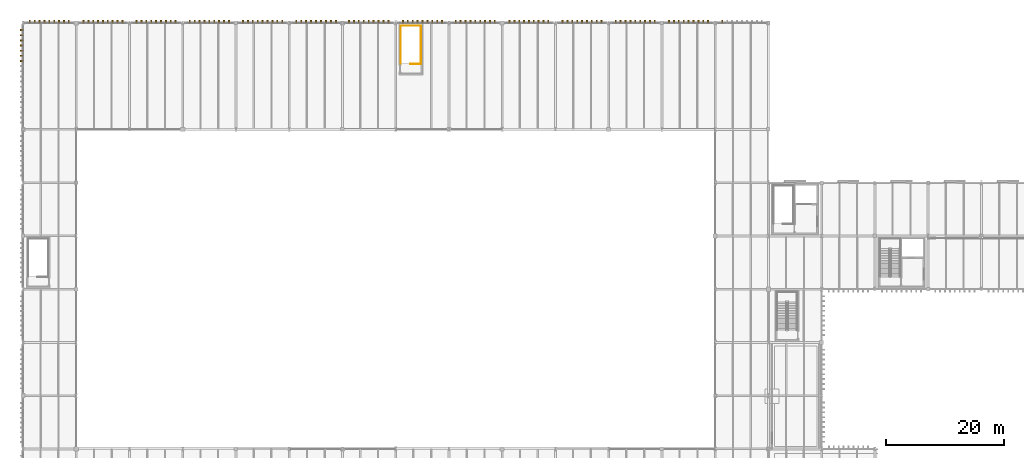
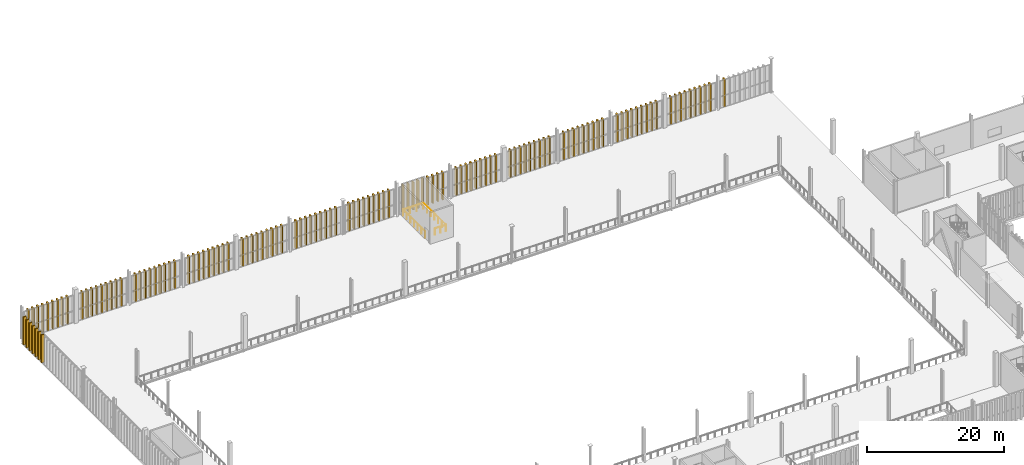
# One storey, part 210 of 211: 125 shading devices, 4 railings.
"""IFC4 building model written with IfcOpenShell, lengths in metres."""

from ifc_helpers import new_model, si_unit, direction, frame, origin, origin_2d, place, context, subcontext, project, spatial, rectangle, circle, extrude, material, type_object, element, save


model = new_model("IFC4")

# Units and contexts
model_context = context("Model", 3, precision=1e-05, world=origin(), true_north=direction((0.0, 1.0)))
body_context = subcontext(model_context, "Body", "Model", "MODEL_VIEW")
ifc_project = project(units=[si_unit("LENGTHUNIT", "METRE"), si_unit("AREAUNIT", "SQUARE_METRE"), si_unit("VOLUMEUNIT", "CUBIC_METRE"), si_unit("PLANEANGLEUNIT", "RADIAN"), si_unit("MASSUNIT", "GRAM", prefix="KILO")], contexts=[model_context])

# Site, building, storey
site_placement = place(None, origin())
site = spatial("IfcSite", under=ifc_project, at=site_placement, CompositionType="ELEMENT")
building_placement = place(site_placement, origin())
building = spatial("IfcBuilding", under=site, at=building_placement, Name="Barlavento Convention Centre", CompositionType="ELEMENT")
storey_placement = place(building_placement, frame((0.0, 0.0, 6.0)))
storey = spatial("IfcBuildingStorey", under=building, at=storey_placement, Name="L01", CompositionType="ELEMENT", Elevation=6.0)

# Railings
ifc_material_1 = material(Name="Stainless steel and laminated glass balustrade", Category="steel")
railing_type = type_object("IfcRailingType", Name="ARC-RAL-BAL-1100", PredefinedType="BALUSTRADE", material=ifc_material_1)
railing_1_placement = place(storey_placement, frame((67.2900390625, 128.0400390625, 0.0)))
element("IfcRailing", 1, at=railing_1_placement, inside=storey, type_object=railing_type, Name="L01 ST13 top well guard 1", PredefinedType="BALUSTRADE", context=body_context, shape_type="SweptSolid", body=[
    extrude(circle(Radius=0.02392578125, at=origin_2d()), frame((0.0, 0.0, 1.076171875), z_axis=(-1.0, 0.0, 0.0), x_axis=(0.0, -1.0, 0.0)), (0.0, 0.0, 1.0), 1.820068359375),
    extrude(circle(Radius=0.02099609375, at=origin_2d()), origin(), (0.0, 0.0, 1.0), 1.052001953125),
    extrude(circle(Radius=0.02099609375, at=origin_2d()), frame((-0.91015625, 0.0, 0.0)), (0.0, 0.0, 1.0), 1.052001953125),
    extrude(circle(Radius=0.02099609375, at=origin_2d()), frame((-1.820068359375, 0.0, 0.0)), (0.0, 0.0, 1.0), 1.052001953125),
])
railing_2_placement = place(storey_placement, frame((67.2900390625, 128.114990234375, 0.0)))
element("IfcRailing", 2, at=railing_2_placement, inside=storey, type_object=railing_type, Name="L01 stairwell perimeter guard GR01", PredefinedType="BALUSTRADE", context=body_context, shape_type="SweptSolid", body=[
    extrude(circle(Radius=0.02392578125, at=origin_2d()), frame((0.0, 0.0, 1.076171875), z_axis=(0.0, 1.0, 0.0), x_axis=(-1.0, 0.0, 0.0)), (0.0, 0.0, 1.0), 6.4150390625),
    extrude(circle(Radius=0.02099609375, at=origin_2d()), origin(), (0.0, 0.0, 1.0), 1.052001953125),
    extrude(circle(Radius=0.02099609375, at=origin_2d()), frame((0.0, 1.069091796875, 0.0)), (0.0, 0.0, 1.0), 1.052001953125),
    extrude(circle(Radius=0.02099609375, at=origin_2d()), frame((0.0, 2.138427734375, 0.0)), (0.0, 0.0, 1.0), 1.052001953125),
    extrude(circle(Radius=0.02099609375, at=origin_2d()), frame((0.0, 3.20751953125, 0.0)), (0.0, 0.0, 1.0), 1.052001953125),
    extrude(circle(Radius=0.02099609375, at=origin_2d()), frame((0.0, 4.276611328125, 0.0)), (0.0, 0.0, 1.0), 1.052001953125),
    extrude(circle(Radius=0.02099609375, at=origin_2d()), frame((0.0, 5.345947265625, 0.0)), (0.0, 0.0, 1.0), 1.052001953125),
    extrude(circle(Radius=0.02099609375, at=origin_2d()), frame((0.0, 6.4150390625, 0.0)), (0.0, 0.0, 1.0), 1.052001953125),
])
railing_3_placement = place(storey_placement, frame((67.2900390625, 134.530029296875, 0.0)))
element("IfcRailing", 3, at=railing_3_placement, inside=storey, type_object=railing_type, Name="L01 stairwell perimeter guard GR01", PredefinedType="BALUSTRADE", context=body_context, shape_type="SweptSolid", body=[
    extrude(circle(Radius=0.02392578125, at=origin_2d()), frame((0.0, 0.0, 1.076171875), z_axis=(-1.0, 0.0, 0.0), x_axis=(0.0, -1.0, 0.0)), (0.0, 0.0, 1.0), 3.43994140625),
    extrude(circle(Radius=0.02099609375, at=origin_2d()), origin(), (0.0, 0.0, 1.0), 1.052001953125),
    extrude(circle(Radius=0.02099609375, at=origin_2d()), frame((-1.146728515625, 0.0, 0.0)), (0.0, 0.0, 1.0), 1.052001953125),
    extrude(circle(Radius=0.02099609375, at=origin_2d()), frame((-2.293212890625, 0.0, 0.0)), (0.0, 0.0, 1.0), 1.052001953125),
    extrude(circle(Radius=0.02099609375, at=origin_2d()), frame((-3.43994140625, 0.0, 0.0)), (0.0, 0.0, 1.0), 1.052001953125),
])
railing_4_placement = place(storey_placement, frame((63.85009765625, 134.530029296875, 0.0)))
element("IfcRailing", 4, at=railing_4_placement, inside=storey, type_object=railing_type, Name="L01 stairwell perimeter guard GR01", PredefinedType="BALUSTRADE", context=body_context, shape_type="SweptSolid", body=[
    extrude(circle(Radius=0.02392578125, at=origin_2d()), frame((0.0, 0.0, 1.076171875), z_axis=(0.0, -1.0, 0.0), x_axis=(1.0, 0.0, 0.0)), (0.0, 0.0, 1.0), 6.4150390625),
    extrude(circle(Radius=0.02099609375, at=origin_2d()), origin(), (0.0, 0.0, 1.0), 1.052001953125),
    extrude(circle(Radius=0.02099609375, at=origin_2d()), frame((0.0, -1.069091796875, 0.0)), (0.0, 0.0, 1.0), 1.052001953125),
    extrude(circle(Radius=0.02099609375, at=origin_2d()), frame((0.0, -2.138427734375, 0.0)), (0.0, 0.0, 1.0), 1.052001953125),
    extrude(circle(Radius=0.02099609375, at=origin_2d()), frame((0.0, -3.20751953125, 0.0)), (0.0, 0.0, 1.0), 1.052001953125),
    extrude(circle(Radius=0.02099609375, at=origin_2d()), frame((0.0, -4.276611328125, 0.0)), (0.0, 0.0, 1.0), 1.052001953125),
    extrude(circle(Radius=0.02099609375, at=origin_2d()), frame((0.0, -5.345947265625, 0.0)), (0.0, 0.0, 1.0), 1.052001953125),
    extrude(circle(Radius=0.02099609375, at=origin_2d()), frame((0.0, -6.4150390625, 0.0)), (0.0, 0.0, 1.0), 1.052001953125),
])

# Shading devices
ifc_material_2 = material(Name="PVDF white extruded aluminium", Category="aluminium")
shading_device_type = type_object("IfcShadingDeviceType", Name="ARC-SHD-FIN-480", PredefinedType="USERDEFINED", material=ifc_material_2)
for number, where, z_axis, x_axis, name in (
    (5, (-0.239990234375, 128.576904296875, 0.0), (0.0, 0.0, 1.0), (0.0, 1.0, 0.0), "White vertical solar shading fin VF01"),
    (6, (-0.239990234375, 129.445556640625, 0.0), (0.0, 0.0, 1.0), (0.0, 1.0, 0.0), "White vertical solar shading fin VF01"),
    (7, (-0.239990234375, 130.314208984375, 0.0), (0.0, 0.0, 1.0), (0.0, 1.0, 0.0), "White vertical solar shading fin VF01"),
    (8, (-0.239990234375, 131.18310546875, 0.0), (0.0, 0.0, 1.0), (0.0, 1.0, 0.0), "White vertical solar shading fin VF01"),
    (9, (-0.239990234375, 132.0517578125, 0.0), (0.0, 0.0, 1.0), (0.0, 1.0, 0.0), "White vertical solar shading fin VF01"),
    (10, (-0.239990234375, 132.92041015625, 0.0), (0.0, 0.0, 1.0), (0.0, 1.0, 0.0), "White vertical solar shading fin VF01"),
    (11, (-0.239990234375, 133.789306640625, 0.0), (0.0, 0.0, 1.0), (0.0, 1.0, 0.0), "White vertical solar shading fin VF01"),
    (12, (1.15673828125, 135.239990234375, 0.0), (0.0, 0.0, 1.0), (1.0, 0.0, 0.0), "White vertical solar shading fin VF01"),
    (13, (1.981689453125, 135.239990234375, 0.0), (0.0, 0.0, 1.0), (1.0, 0.0, 0.0), "White vertical solar shading fin VF01"),
    (14, (2.806396484375, 135.239990234375, 0.0), (0.0, 0.0, 1.0), (1.0, 0.0, 0.0), "White vertical solar shading fin VF01"),
    (15, (3.631103515625, 135.239990234375, 0.0), (0.0, 0.0, 1.0), (1.0, 0.0, 0.0), "White vertical solar shading fin VF01"),
    (16, (4.4560546875, 135.239990234375, 0.0), (0.0, 0.0, 1.0), (1.0, 0.0, 0.0), "White vertical solar shading fin VF01"),
    (17, (5.28076171875, 135.239990234375, 0.0), (0.0, 0.0, 1.0), (1.0, 0.0, 0.0), "White vertical solar shading fin VF01"),
    (18, (6.105712890625, 135.239990234375, 0.0), (0.0, 0.0, 1.0), (1.0, 0.0, 0.0), "White vertical solar shading fin VF01"),
    (19, (6.930419921875, 135.239990234375, 0.0), (0.0, 0.0, 1.0), (1.0, 0.0, 0.0), "White vertical solar shading fin VF01"),
    (20, (7.755126953125, 135.239990234375, 0.0), (0.0, 0.0, 1.0), (1.0, 0.0, 0.0), "White vertical solar shading fin VF01"),
    (21, (10.239990234375, 135.239990234375, 0.0), (0.0, 0.0, 1.0), (1.0, 0.0, 0.0), "White vertical solar shading fin VF01"),
    (22, (11.06005859375, 135.239990234375, 0.0), (0.0, 0.0, 1.0), (1.0, 0.0, 0.0), "White vertical solar shading fin VF01"),
    (23, (11.8798828125, 135.239990234375, 0.0), (0.0, 0.0, 1.0), (1.0, 0.0, 0.0), "White vertical solar shading fin VF01"),
    (24, (12.699951171875, 135.239990234375, 0.0), (0.0, 0.0, 1.0), (1.0, 0.0, 0.0), "White vertical solar shading fin VF01"),
    (25, (13.52001953125, 135.239990234375, 0.0), (0.0, 0.0, 1.0), (1.0, 0.0, 0.0), "White vertical solar shading fin VF01"),
    (26, (14.340087890625, 135.239990234375, 0.0), (0.0, 0.0, 1.0), (1.0, 0.0, 0.0), "White vertical solar shading fin VF01"),
    (27, (15.159912109375, 135.239990234375, 0.0), (0.0, 0.0, 1.0), (1.0, 0.0, 0.0), "White vertical solar shading fin VF01"),
    (28, (15.97998046875, 135.239990234375, 0.0), (0.0, 0.0, 1.0), (1.0, 0.0, 0.0), "White vertical solar shading fin VF01"),
    (29, (16.800048828125, 135.239990234375, 0.0), (0.0, 0.0, 1.0), (1.0, 0.0, 0.0), "White vertical solar shading fin VF01"),
    (30, (19.205078125, 135.239990234375, 0.0), (0.0, 0.0, 1.0), (1.0, 0.0, 0.0), "White vertical solar shading fin VF01"),
    (31, (20.030029296875, 135.239990234375, 0.0), (0.0, 0.0, 1.0), (1.0, 0.0, 0.0), "White vertical solar shading fin VF01"),
    (32, (20.85498046875, 135.239990234375, 0.0), (0.0, 0.0, 1.0), (1.0, 0.0, 0.0), "White vertical solar shading fin VF01"),
    (33, (21.679931640625, 135.239990234375, 0.0), (0.0, 0.0, 1.0), (1.0, 0.0, 0.0), "White vertical solar shading fin VF01"),
    (34, (22.5048828125, 135.239990234375, 0.0), (0.0, 0.0, 1.0), (1.0, 0.0, 0.0), "White vertical solar shading fin VF01"),
    (35, (23.330078125, 135.239990234375, 0.0), (0.0, 0.0, 1.0), (1.0, 0.0, 0.0), "White vertical solar shading fin VF01"),
    (36, (24.155029296875, 135.239990234375, 0.0), (0.0, 0.0, 1.0), (1.0, 0.0, 0.0), "White vertical solar shading fin VF01"),
    (37, (24.97998046875, 135.239990234375, 0.0), (0.0, 0.0, 1.0), (1.0, 0.0, 0.0), "White vertical solar shading fin VF01"),
    (38, (25.804931640625, 135.239990234375, 0.0), (0.0, 0.0, 1.0), (1.0, 0.0, 0.0), "White vertical solar shading fin VF01"),
    (39, (28.196044921875, 135.239990234375, 0.0), (0.0, 0.0, 1.0), (1.0, 0.0, 0.0), "White vertical solar shading fin VF01"),
    (40, (29.02197265625, 135.239990234375, 0.0), (0.0, 0.0, 1.0), (1.0, 0.0, 0.0), "White vertical solar shading fin VF01"),
    (41, (29.847900390625, 135.239990234375, 0.0), (0.0, 0.0, 1.0), (1.0, 0.0, 0.0), "White vertical solar shading fin VF01"),
    (42, (30.674072265625, 135.239990234375, 0.0), (0.0, 0.0, 1.0), (1.0, 0.0, 0.0), "White vertical solar shading fin VF01"),
    (43, (31.5, 135.239990234375, 0.0), (0.0, 0.0, 1.0), (1.0, 0.0, 0.0), "White vertical solar shading fin VF01"),
    (44, (32.325927734375, 135.239990234375, 0.0), (0.0, 0.0, 1.0), (1.0, 0.0, 0.0), "White vertical solar shading fin VF01"),
    (45, (33.152099609375, 135.239990234375, 0.0), (0.0, 0.0, 1.0), (1.0, 0.0, 0.0), "White vertical solar shading fin VF01"),
    (46, (33.97802734375, 135.239990234375, 0.0), (0.0, 0.0, 1.0), (1.0, 0.0, 0.0), "White vertical solar shading fin VF01"),
    (47, (34.803955078125, 135.239990234375, 0.0), (0.0, 0.0, 1.0), (1.0, 0.0, 0.0), "White vertical solar shading fin VF01"),
    (48, (37.197509765625, 135.239990234375, 0.0), (0.0, 0.0, 1.0), (1.0, 0.0, 0.0), "White vertical solar shading fin VF01"),
    (49, (38.02490234375, 135.239990234375, 0.0), (0.0, 0.0, 1.0), (1.0, 0.0, 0.0), "White vertical solar shading fin VF01"),
    (50, (38.852294921875, 135.239990234375, 0.0), (0.0, 0.0, 1.0), (1.0, 0.0, 0.0), "White vertical solar shading fin VF01"),
    (51, (39.6796875, 135.239990234375, 0.0), (0.0, 0.0, 1.0), (1.0, 0.0, 0.0), "White vertical solar shading fin VF01"),
    (52, (40.507080078125, 135.239990234375, 0.0), (0.0, 0.0, 1.0), (1.0, 0.0, 0.0), "White vertical solar shading fin VF01"),
    (53, (41.33447265625, 135.239990234375, 0.0), (0.0, 0.0, 1.0), (1.0, 0.0, 0.0), "White vertical solar shading fin VF01"),
    (54, (42.161865234375, 135.239990234375, 0.0), (0.0, 0.0, 1.0), (1.0, 0.0, 0.0), "White vertical solar shading fin VF01"),
    (55, (42.9892578125, 135.239990234375, 0.0), (0.0, 0.0, 1.0), (1.0, 0.0, 0.0), "White vertical solar shading fin VF01"),
    (56, (43.816650390625, 135.239990234375, 0.0), (0.0, 0.0, 1.0), (1.0, 0.0, 0.0), "White vertical solar shading fin VF01"),
    (57, (46.193115234375, 135.239990234375, 0.0), (0.0, 0.0, 1.0), (1.0, 0.0, 0.0), "White vertical solar shading fin VF01"),
    (58, (47.0302734375, 135.239990234375, 0.0), (0.0, 0.0, 1.0), (1.0, 0.0, 0.0), "White vertical solar shading fin VF01"),
    (59, (47.8671875, 135.239990234375, 0.0), (0.0, 0.0, 1.0), (1.0, 0.0, 0.0), "White vertical solar shading fin VF01"),
    (60, (48.704345703125, 135.239990234375, 0.0), (0.0, 0.0, 1.0), (1.0, 0.0, 0.0), "White vertical solar shading fin VF01"),
    (61, (49.54150390625, 135.239990234375, 0.0), (0.0, 0.0, 1.0), (1.0, 0.0, 0.0), "White vertical solar shading fin VF01"),
    (62, (50.37841796875, 135.239990234375, 0.0), (0.0, 0.0, 1.0), (1.0, 0.0, 0.0), "White vertical solar shading fin VF01"),
    (63, (51.215576171875, 135.239990234375, 0.0), (0.0, 0.0, 1.0), (1.0, 0.0, 0.0), "White vertical solar shading fin VF01"),
    (64, (52.052490234375, 135.239990234375, 0.0), (0.0, 0.0, 1.0), (1.0, 0.0, 0.0), "White vertical solar shading fin VF01"),
    (65, (52.8896484375, 135.239990234375, 0.0), (0.0, 0.0, 1.0), (1.0, 0.0, 0.0), "White vertical solar shading fin VF01"),
    (66, (55.10546875, 135.239990234375, 0.0), (0.0, 0.0, 1.0), (1.0, 0.0, 0.0), "White vertical solar shading fin VF01"),
    (67, (55.937744140625, 135.239990234375, 0.0), (0.0, 0.0, 1.0), (1.0, 0.0, 0.0), "White vertical solar shading fin VF01"),
    (68, (56.77001953125, 135.239990234375, 0.0), (0.0, 0.0, 1.0), (1.0, 0.0, 0.0), "White vertical solar shading fin VF01"),
    (69, (57.602294921875, 135.239990234375, 0.0), (0.0, 0.0, 1.0), (1.0, 0.0, 0.0), "White vertical solar shading fin VF01"),
    (70, (58.4345703125, 135.239990234375, 0.0), (0.0, 0.0, 1.0), (1.0, 0.0, 0.0), "White vertical solar shading fin VF01"),
    (71, (59.266845703125, 135.239990234375, 0.0), (0.0, 0.0, 1.0), (1.0, 0.0, 0.0), "White vertical solar shading fin VF01"),
    (72, (60.09912109375, 135.239990234375, 0.0), (0.0, 0.0, 1.0), (1.0, 0.0, 0.0), "White vertical solar shading fin VF01"),
    (73, (60.931396484375, 135.239990234375, 0.0), (0.0, 0.0, 1.0), (1.0, 0.0, 0.0), "White vertical solar shading fin VF01"),
    (74, (61.763671875, 135.239990234375, 0.0), (0.0, 0.0, 1.0), (1.0, 0.0, 0.0), "White vertical solar shading fin VF01"),
    (75, (64.23046875, 135.239990234375, 0.0), (0.0, 0.0, 1.0), (1.0, 0.0, 0.0), "White vertical solar shading fin VF01"),
    (76, (65.056884765625, 135.239990234375, 0.0), (0.0, 0.0, 1.0), (1.0, 0.0, 0.0), "White vertical solar shading fin VF01"),
    (77, (65.88330078125, 135.239990234375, 0.0), (0.0, 0.0, 1.0), (1.0, 0.0, 0.0), "White vertical solar shading fin VF01"),
    (78, (66.709716796875, 135.239990234375, 0.0), (0.0, 0.0, 1.0), (1.0, 0.0, 0.0), "White vertical solar shading fin VF01"),
    (79, (67.535888671875, 135.239990234375, 0.0), (0.0, 0.0, 1.0), (1.0, 0.0, 0.0), "White vertical solar shading fin VF01"),
    (80, (68.3623046875, 135.239990234375, 0.0), (0.0, 0.0, 1.0), (1.0, 0.0, 0.0), "White vertical solar shading fin VF01"),
    (81, (69.188720703125, 135.239990234375, 0.0), (0.0, 0.0, 1.0), (1.0, 0.0, 0.0), "White vertical solar shading fin VF01"),
    (82, (70.01513671875, 135.239990234375, 0.0), (0.0, 0.0, 1.0), (1.0, 0.0, 0.0), "White vertical solar shading fin VF01"),
    (83, (70.841552734375, 135.239990234375, 0.0), (0.0, 0.0, 1.0), (1.0, 0.0, 0.0), "White vertical solar shading fin VF01"),
    (84, (73.15673828125, 135.239990234375, 0.0), (0.0, 0.0, 1.0), (1.0, 0.0, 0.0), "White vertical solar shading fin VF01"),
    (85, (73.981689453125, 135.239990234375, 0.0), (0.0, 0.0, 1.0), (1.0, 0.0, 0.0), "White vertical solar shading fin VF01"),
    (86, (74.806396484375, 135.239990234375, 0.0), (0.0, 0.0, 1.0), (1.0, 0.0, 0.0), "White vertical solar shading fin VF01"),
    (87, (75.631103515625, 135.239990234375, 0.0), (0.0, 0.0, 1.0), (1.0, 0.0, 0.0), "White vertical solar shading fin VF01"),
    (88, (76.4560546875, 135.239990234375, 0.0), (0.0, 0.0, 1.0), (1.0, 0.0, 0.0), "White vertical solar shading fin VF01"),
    (89, (77.28076171875, 135.239990234375, 0.0), (0.0, 0.0, 1.0), (1.0, 0.0, 0.0), "White vertical solar shading fin VF01"),
    (90, (78.105712890625, 135.239990234375, 0.0), (0.0, 0.0, 1.0), (1.0, 0.0, 0.0), "White vertical solar shading fin VF01"),
    (91, (78.930419921875, 135.239990234375, 0.0), (0.0, 0.0, 1.0), (1.0, 0.0, 0.0), "White vertical solar shading fin VF01"),
    (92, (79.755126953125, 135.239990234375, 0.0), (0.0, 0.0, 1.0), (1.0, 0.0, 0.0), "White vertical solar shading fin VF01"),
    (93, (82.239990234375, 135.239990234375, 0.0), (0.0, 0.0, 1.0), (1.0, 0.0, 0.0), "White vertical solar shading fin VF01"),
    (94, (83.06005859375, 135.239990234375, 0.0), (0.0, 0.0, 1.0), (1.0, 0.0, 0.0), "White vertical solar shading fin VF01"),
    (95, (83.8798828125, 135.239990234375, 0.0), (0.0, 0.0, 1.0), (1.0, 0.0, 0.0), "White vertical solar shading fin VF01"),
    (96, (84.699951171875, 135.239990234375, 0.0), (0.0, 0.0, 1.0), (1.0, 0.0, 0.0), "White vertical solar shading fin VF01"),
    (97, (85.52001953125, 135.239990234375, 0.0), (0.0, 0.0, 1.0), (1.0, 0.0, 0.0), "White vertical solar shading fin VF01"),
    (98, (86.340087890625, 135.239990234375, 0.0), (0.0, 0.0, 1.0), (1.0, 0.0, 0.0), "White vertical solar shading fin VF01"),
    (99, (87.159912109375, 135.239990234375, 0.0), (0.0, 0.0, 1.0), (1.0, 0.0, 0.0), "White vertical solar shading fin VF01"),
    (100, (87.97998046875, 135.239990234375, 0.0), (0.0, 0.0, 1.0), (1.0, 0.0, 0.0), "White vertical solar shading fin VF01"),
    (101, (88.800048828125, 135.239990234375, 0.0), (0.0, 0.0, 1.0), (1.0, 0.0, 0.0), "White vertical solar shading fin VF01"),
    (102, (91.205078125, 135.239990234375, 0.0), (0.0, 0.0, 1.0), (1.0, 0.0, 0.0), "White vertical solar shading fin VF01"),
    (103, (92.030029296875, 135.239990234375, 0.0), (0.0, 0.0, 1.0), (1.0, 0.0, 0.0), "White vertical solar shading fin VF01"),
    (104, (92.85498046875, 135.239990234375, 0.0), (0.0, 0.0, 1.0), (1.0, 0.0, 0.0), "White vertical solar shading fin VF01"),
    (105, (93.679931640625, 135.239990234375, 0.0), (0.0, 0.0, 1.0), (1.0, 0.0, 0.0), "White vertical solar shading fin VF01"),
    (106, (94.5048828125, 135.239990234375, 0.0), (0.0, 0.0, 1.0), (1.0, 0.0, 0.0), "White vertical solar shading fin VF01"),
    (107, (95.330078125, 135.239990234375, 0.0), (0.0, 0.0, 1.0), (1.0, 0.0, 0.0), "White vertical solar shading fin VF01"),
    (108, (96.155029296875, 135.239990234375, 0.0), (0.0, 0.0, 1.0), (1.0, 0.0, 0.0), "White vertical solar shading fin VF01"),
    (109, (96.97998046875, 135.239990234375, 0.0), (0.0, 0.0, 1.0), (1.0, 0.0, 0.0), "White vertical solar shading fin VF01"),
    (110, (97.804931640625, 135.239990234375, 0.0), (0.0, 0.0, 1.0), (1.0, 0.0, 0.0), "White vertical solar shading fin VF01"),
    (111, (100.196044921875, 135.239990234375, 0.0), (0.0, 0.0, 1.0), (1.0, 0.0, 0.0), "White vertical solar shading fin VF01"),
    (112, (101.02197265625, 135.239990234375, 0.0), (0.0, 0.0, 1.0), (1.0, 0.0, 0.0), "White vertical solar shading fin VF01"),
    (113, (101.847900390625, 135.239990234375, 0.0), (0.0, 0.0, 1.0), (1.0, 0.0, 0.0), "White vertical solar shading fin VF01"),
    (114, (102.674072265625, 135.239990234375, 0.0), (0.0, 0.0, 1.0), (1.0, 0.0, 0.0), "White vertical solar shading fin VF01"),
    (115, (103.5, 135.239990234375, 0.0), (0.0, 0.0, 1.0), (1.0, 0.0, 0.0), "White vertical solar shading fin VF01"),
    (116, (104.325927734375, 135.239990234375, 0.0), (0.0, 0.0, 1.0), (1.0, 0.0, 0.0), "White vertical solar shading fin VF01"),
    (117, (105.152099609375, 135.239990234375, 0.0), (0.0, 0.0, 1.0), (1.0, 0.0, 0.0), "White vertical solar shading fin VF01"),
    (118, (105.97802734375, 135.239990234375, 0.0), (0.0, 0.0, 1.0), (1.0, 0.0, 0.0), "White vertical solar shading fin VF01"),
    (119, (106.803955078125, 135.239990234375, 0.0), (0.0, 0.0, 1.0), (1.0, 0.0, 0.0), "White vertical solar shading fin VF01"),
    (120, (109.197509765625, 135.239990234375, 0.0), (0.0, 0.0, 1.0), (1.0, 0.0, 0.0), "White vertical solar shading fin VF01"),
    (121, (110.02490234375, 135.239990234375, 0.0), (0.0, 0.0, 1.0), (1.0, 0.0, 0.0), "White vertical solar shading fin VF01"),
    (122, (110.852294921875, 135.239990234375, 0.0), (0.0, 0.0, 1.0), (1.0, 0.0, 0.0), "White vertical solar shading fin VF01"),
    (123, (111.6796875, 135.239990234375, 0.0), (0.0, 0.0, 1.0), (1.0, 0.0, 0.0), "White vertical solar shading fin VF01"),
    (124, (112.507080078125, 135.239990234375, 0.0), (0.0, 0.0, 1.0), (1.0, 0.0, 0.0), "White vertical solar shading fin VF01"),
    (125, (113.33447265625, 135.239990234375, 0.0), (0.0, 0.0, 1.0), (1.0, 0.0, 0.0), "White vertical solar shading fin VF01"),
    (126, (114.161865234375, 135.239990234375, 0.0), (0.0, 0.0, 1.0), (1.0, 0.0, 0.0), "White vertical solar shading fin VF01"),
    (127, (114.9892578125, 135.239990234375, 0.0), (0.0, 0.0, 1.0), (1.0, 0.0, 0.0), "White vertical solar shading fin VF01"),
    (128, (115.816650390625, 135.239990234375, 0.0), (0.0, 0.0, 1.0), (1.0, 0.0, 0.0), "White vertical solar shading fin VF01"),
    (129, (118.193115234375, 135.239990234375, 0.0), (0.0, 0.0, 1.0), (1.0, 0.0, 0.0), "White vertical solar shading fin VF01"),
):
    element("IfcShadingDevice", number, at=place(storey_placement, frame(where, z_axis=z_axis, x_axis=x_axis)), inside=storey, type_object=shading_device_type, Name=name, ObjectType="FIN", PredefinedType="USERDEFINED", context=body_context, shape_type="SweptSolid", body=[
        extrude(rectangle(XDim=0.219970703125, YDim=0.52001953125, at=origin_2d()), origin(), (0.0, 0.0, 1.0), 4.949951171875),
    ])

save(model, "model.ifc")
